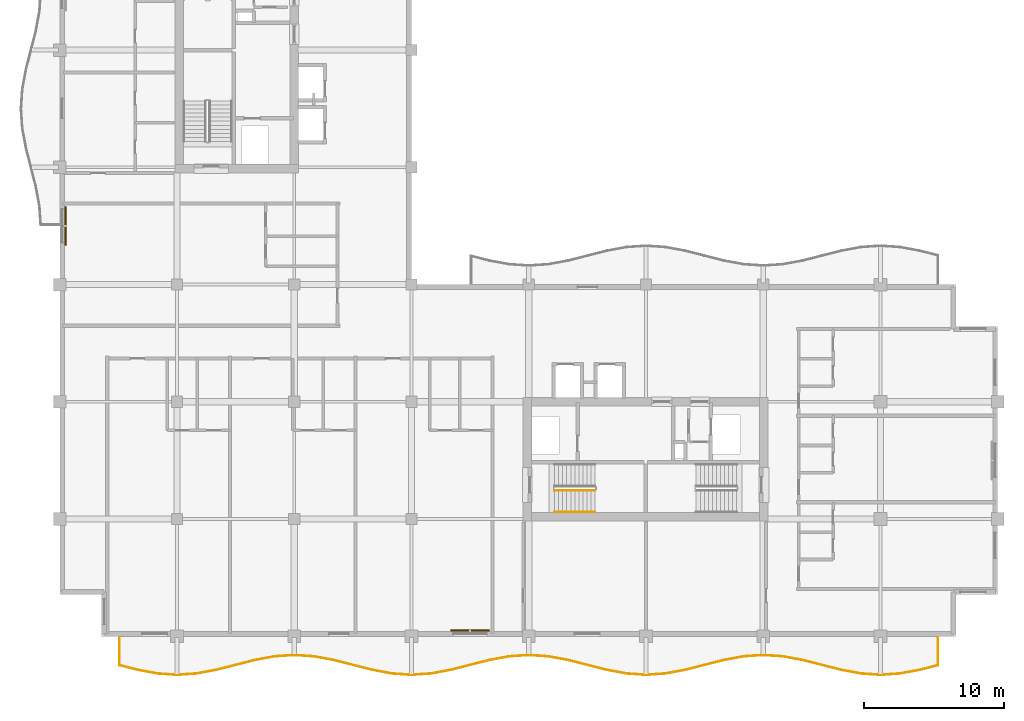
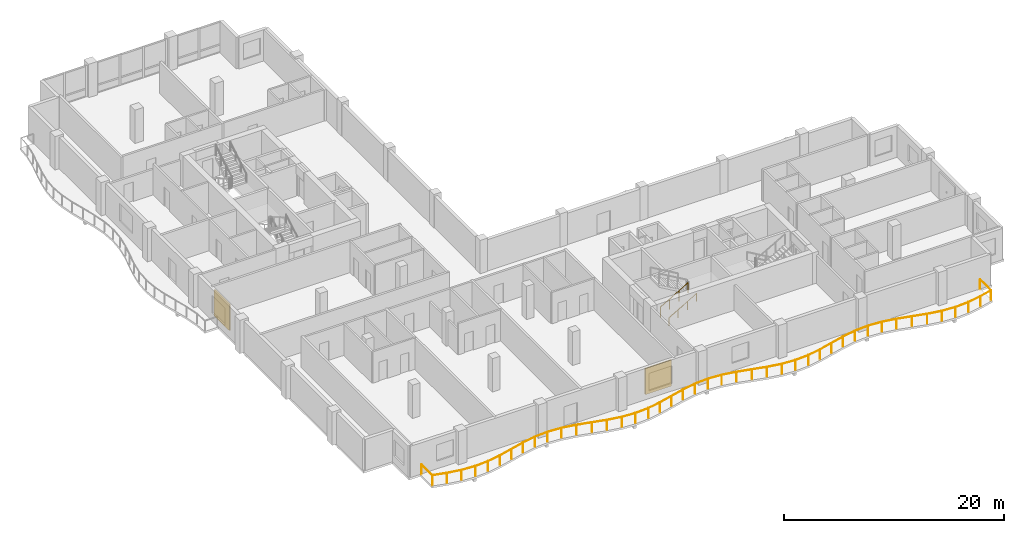
# One storey, part 14 of 17: 3 railings, 2 shading devices.
"""IFC4 building model written with IfcOpenShell, lengths in metres."""

from ifc_helpers import new_model, si_unit, direction, frame, origin, origin_2d, place, context, subcontext, project, spatial, rectangle, circle, extrude, material, layer, layer_set, type_object, element, save


model = new_model("IFC4")

# Units and contexts
model_context = context("Model", 3, precision=1e-05, world=origin(), true_north=direction((0.0, 1.0)))
body_context = subcontext(model_context, "Body", "Model", "MODEL_VIEW")
ifc_project = project(units=[si_unit("LENGTHUNIT", "METRE"), si_unit("AREAUNIT", "SQUARE_METRE"), si_unit("VOLUMEUNIT", "CUBIC_METRE"), si_unit("PLANEANGLEUNIT", "RADIAN"), si_unit("MASSUNIT", "GRAM", prefix="KILO")], contexts=[model_context])

# Site, building, storey
site_placement = place(None, origin())
site = spatial("IfcSite", under=ifc_project, at=site_placement, CompositionType="ELEMENT")
building_placement = place(site_placement, origin())
building = spatial("IfcBuilding", under=site, at=building_placement, Name="Koriwani Terraces Tower", CompositionType="ELEMENT")
storey_placement = place(building_placement, frame((0.0, 0.0, 237.89990234375)))
storey = spatial("IfcBuildingStorey", under=building, at=storey_placement, Name="L58", CompositionType="ELEMENT", Elevation=237.89990234375)

# Railings
ifc_material_1 = material(Name="Steel ASTM A572 Grade 50", Category="steel")
railing_type_1 = type_object("IfcRailingType", Name="GUARD_BALUSTRADE_1150", PredefinedType="BALUSTRADE", material=ifc_material_1)
railing_1_placement = place(storey_placement, frame((12.679931640625, 8.320068359375, 0.0)))
element("IfcRailing", 1, at=railing_1_placement, inside=storey, type_object=railing_type_1, Name="L58 Balcony Perimeter Safety Balustrade (S)", PredefinedType="BALUSTRADE", context=body_context, shape_type="SweptSolid", body=[
    extrude(circle(Radius=0.02392578125, at=origin_2d()), frame((0.0, 0.0, 1.1259765625), z_axis=(0.0, -1.0, 0.0), x_axis=(1.0, 0.0, 0.0)), (0.0, 0.0, 1.0), 1.997802734375),
    extrude(circle(Radius=0.02392578125, at=origin_2d()), frame((0.0, -1.997802734375, 1.1259765625), z_axis=(0.969314490181, -0.245823959624, 0.0), x_axis=(0.245823959624, 0.969314490181, 0.0)), (0.0, 0.0, 1.0), 1.37939453125),
    extrude(circle(Radius=0.02392578125, at=origin_2d()), frame((1.337158203125, -2.3369140625, 1.1259765625), z_axis=(0.98320420208, -0.182508895706, 0.0), x_axis=(0.182508895706, 0.98320420208, 0.0)), (0.0, 0.0, 1.0), 1.41650390625),
    extrude(circle(Radius=0.02392578125, at=origin_2d()), frame((2.72998046875, -2.595458984375, 1.1259765625), z_axis=(0.997698263815, -0.067809839848, 0.0), x_axis=(0.067809839848, 0.997698263815, 0.0)), (0.0, 0.0, 1.0), 1.393310546875),
    extrude(circle(Radius=0.02392578125, at=origin_2d()), frame((4.1201171875, -2.68994140625, 1.1259765625), z_axis=(0.997697457915, 0.067821696155, 0.0), x_axis=(-0.067821696155, 0.997697457915, 0.0)), (0.0, 0.0, 1.0), 1.39306640625),
    extrude(circle(Radius=0.02392578125, at=origin_2d()), frame((5.510009765625, -2.595458984375, 1.1259765625), z_axis=(0.98320420208, 0.182508895706, 0.0), x_axis=(-0.182508895706, 0.98320420208, 0.0)), (0.0, 0.0, 1.0), 1.41650390625),
    extrude(circle(Radius=0.02392578125, at=origin_2d()), frame((6.90283203125, -2.3369140625, 1.1259765625), z_axis=(0.969326714928, 0.245775750895, 0.0), x_axis=(-0.245775750895, 0.969326714928, 0.0)), (0.0, 0.0, 1.0), 2.888671875),
    extrude(circle(Radius=0.02392578125, at=origin_2d()), frame((9.702880859375, -1.626953125, 1.1259765625), z_axis=(0.983233329212, 0.182351913416, 0.0), x_axis=(-0.182351913416, 0.983233329212, 0.0)), (0.0, 0.0, 1.0), 1.43115234375),
    extrude(circle(Radius=0.02392578125, at=origin_2d()), frame((11.110107421875, -1.365966796875, 1.1259765625), z_axis=(0.997704165633, 0.067722949425, 0.0), x_axis=(-0.067722949425, 0.997704165633, 0.0)), (0.0, 0.0, 1.0), 1.4130859375),
    extrude(circle(Radius=0.02392578125, at=origin_2d()), frame((12.52001953125, -1.270263671875, 1.1259765625), z_axis=(0.997704957786, -0.067711278299, 0.0), x_axis=(0.067711278299, 0.997704957786, 0.0)), (0.0, 0.0, 1.0), 1.413330078125),
    extrude(circle(Radius=0.02392578125, at=origin_2d()), frame((13.93017578125, -1.365966796875, 1.1259765625), z_axis=(0.983227655562, -0.182382502828, 0.0), x_axis=(0.182382502828, 0.983227655562, 0.0)), (0.0, 0.0, 1.0), 1.430908203125),
    extrude(circle(Radius=0.02392578125, at=origin_2d()), frame((15.337158203125, -1.626953125, 1.1259765625), z_axis=(0.969326714928, -0.245775750895, 0.0), x_axis=(0.245775750895, 0.969326714928, 0.0)), (0.0, 0.0, 1.0), 2.888671875),
    extrude(circle(Radius=0.02392578125, at=origin_2d()), frame((18.13720703125, -2.3369140625, 1.1259765625), z_axis=(0.98320420208, -0.182508895706, 0.0), x_axis=(0.182508895706, 0.98320420208, 0.0)), (0.0, 0.0, 1.0), 1.41650390625),
    extrude(circle(Radius=0.02392578125, at=origin_2d()), frame((19.530029296875, -2.595458984375, 1.1259765625), z_axis=(0.997698263815, -0.067809839848, 0.0), x_axis=(0.067809839848, 0.997698263815, 0.0)), (0.0, 0.0, 1.0), 1.393310546875),
    extrude(circle(Radius=0.02392578125, at=origin_2d()), frame((20.920166015625, -2.68994140625, 1.1259765625), z_axis=(0.997697457915, 0.067821696155, 0.0), x_axis=(-0.067821696155, 0.997697457915, 0.0)), (0.0, 0.0, 1.0), 1.39306640625),
    extrude(circle(Radius=0.02392578125, at=origin_2d()), frame((22.31005859375, -2.595458984375, 1.1259765625), z_axis=(0.98320420208, 0.182508895706, 0.0), x_axis=(-0.182508895706, 0.98320420208, 0.0)), (0.0, 0.0, 1.0), 1.41650390625),
    extrude(circle(Radius=0.02392578125, at=origin_2d()), frame((23.702880859375, -2.3369140625, 1.1259765625), z_axis=(0.969326714928, 0.245775750895, 0.0), x_axis=(-0.245775750895, 0.969326714928, 0.0)), (0.0, 0.0, 1.0), 2.888671875),
    extrude(circle(Radius=0.02392578125, at=origin_2d()), frame((26.5029296875, -1.626953125, 1.1259765625), z_axis=(0.983233329212, 0.182351913416, 0.0), x_axis=(-0.182351913416, 0.983233329212, 0.0)), (0.0, 0.0, 1.0), 1.43115234375),
    extrude(circle(Radius=0.02392578125, at=origin_2d()), frame((27.91015625, -1.365966796875, 1.1259765625), z_axis=(0.997704165633, 0.067722949425, 0.0), x_axis=(-0.067722949425, 0.997704165633, 0.0)), (0.0, 0.0, 1.0), 1.4130859375),
    extrude(circle(Radius=0.02392578125, at=origin_2d()), frame((29.320068359375, -1.270263671875, 1.1259765625), z_axis=(0.997704165633, -0.067722949425, 0.0), x_axis=(0.067722949425, 0.997704165633, 0.0)), (0.0, 0.0, 1.0), 1.4130859375),
    extrude(circle(Radius=0.02392578125, at=origin_2d()), frame((30.72998046875, -1.365966796875, 1.1259765625), z_axis=(0.983233329212, -0.182351913416, 0.0), x_axis=(0.182351913416, 0.983233329212, 0.0)), (0.0, 0.0, 1.0), 1.43115234375),
    extrude(circle(Radius=0.02392578125, at=origin_2d()), frame((32.13720703125, -1.626953125, 1.1259765625), z_axis=(0.969326714928, -0.245775750895, 0.0), x_axis=(0.245775750895, 0.969326714928, 0.0)), (0.0, 0.0, 1.0), 2.888671875),
    extrude(circle(Radius=0.02392578125, at=origin_2d()), frame((34.937255859375, -2.3369140625, 1.1259765625), z_axis=(0.98320420208, -0.182508895706, 0.0), x_axis=(0.182508895706, 0.98320420208, 0.0)), (0.0, 0.0, 1.0), 1.41650390625),
    extrude(circle(Radius=0.02392578125, at=origin_2d()), frame((36.330078125, -2.595458984375, 1.1259765625), z_axis=(0.997697457915, -0.067821696155, 0.0), x_axis=(0.067821696155, 0.997697457915, 0.0)), (0.0, 0.0, 1.0), 1.39306640625),
    extrude(circle(Radius=0.02392578125, at=origin_2d()), frame((37.719970703125, -2.68994140625, 1.1259765625), z_axis=(0.997698263815, 0.067809839848, 0.0), x_axis=(-0.067809839848, 0.997698263815, 0.0)), (0.0, 0.0, 1.0), 1.393310546875),
    extrude(circle(Radius=0.02392578125, at=origin_2d()), frame((39.110107421875, -2.595458984375, 1.1259765625), z_axis=(0.98320420208, 0.182508895706, 0.0), x_axis=(-0.182508895706, 0.98320420208, 0.0)), (0.0, 0.0, 1.0), 1.41650390625),
    extrude(circle(Radius=0.02392578125, at=origin_2d()), frame((40.5029296875, -2.3369140625, 1.1259765625), z_axis=(0.969326714928, 0.245775750895, 0.0), x_axis=(-0.245775750895, 0.969326714928, 0.0)), (0.0, 0.0, 1.0), 2.888671875),
    extrude(circle(Radius=0.02392578125, at=origin_2d()), frame((43.302978515625, -1.626953125, 1.1259765625), z_axis=(0.983227655562, 0.182382502828, 0.0), x_axis=(-0.182382502828, 0.983227655562, 0.0)), (0.0, 0.0, 1.0), 1.430908203125),
    extrude(circle(Radius=0.02392578125, at=origin_2d()), frame((44.7099609375, -1.365966796875, 1.1259765625), z_axis=(0.997704957786, 0.067711278299, 0.0), x_axis=(-0.067711278299, 0.997704957786, 0.0)), (0.0, 0.0, 1.0), 1.413330078125),
    extrude(circle(Radius=0.02392578125, at=origin_2d()), frame((46.1201171875, -1.270263671875, 1.1259765625), z_axis=(0.997704165633, -0.067722949425, 0.0), x_axis=(0.067722949425, 0.997704165633, 0.0)), (0.0, 0.0, 1.0), 1.4130859375),
    extrude(circle(Radius=0.02392578125, at=origin_2d()), frame((47.530029296875, -1.365966796875, 1.1259765625), z_axis=(0.983233329212, -0.182351913416, 0.0), x_axis=(0.182351913416, 0.983233329212, 0.0)), (0.0, 0.0, 1.0), 1.43115234375),
    extrude(circle(Radius=0.02392578125, at=origin_2d()), frame((48.937255859375, -1.626953125, 1.1259765625), z_axis=(0.969326714928, -0.245775750895, 0.0), x_axis=(0.245775750895, 0.969326714928, 0.0)), (0.0, 0.0, 1.0), 2.888671875),
    extrude(circle(Radius=0.02392578125, at=origin_2d()), frame((51.7373046875, -2.3369140625, 1.1259765625), z_axis=(0.98320420208, -0.182508895706, 0.0), x_axis=(0.182508895706, 0.98320420208, 0.0)), (0.0, 0.0, 1.0), 1.41650390625),
    extrude(circle(Radius=0.02392578125, at=origin_2d()), frame((53.130126953125, -2.595458984375, 1.1259765625), z_axis=(0.997697457915, -0.067821696155, 0.0), x_axis=(0.067821696155, 0.997697457915, 0.0)), (0.0, 0.0, 1.0), 1.39306640625),
    extrude(circle(Radius=0.02392578125, at=origin_2d()), frame((54.52001953125, -2.68994140625, 1.1259765625), z_axis=(0.997698263815, 0.067809839848, 0.0), x_axis=(-0.067809839848, 0.997698263815, 0.0)), (0.0, 0.0, 1.0), 1.393310546875),
    extrude(circle(Radius=0.02392578125, at=origin_2d()), frame((55.91015625, -2.595458984375, 1.1259765625), z_axis=(0.98320420208, 0.182508895706, 0.0), x_axis=(-0.182508895706, 0.98320420208, 0.0)), (0.0, 0.0, 1.0), 1.41650390625),
    extrude(circle(Radius=0.02392578125, at=origin_2d()), frame((57.302978515625, -2.3369140625, 1.1259765625), z_axis=(0.969314490181, 0.245823959624, 0.0), x_axis=(-0.245823959624, 0.969314490181, 0.0)), (0.0, 0.0, 1.0), 1.37939453125),
    extrude(circle(Radius=0.02392578125, at=origin_2d()), frame((58.64013671875, -1.997802734375, 1.1259765625), z_axis=(0.0, 1.0, 0.0), x_axis=(-1.0, 0.0, 0.0)), (0.0, 0.0, 1.0), 1.997802734375),
    extrude(circle(Radius=0.02099609375, at=origin_2d()), origin(), (0.0, 0.0, 1.0), 1.101806640625),
    extrude(circle(Radius=0.02099609375, at=origin_2d()), frame((0.0, -1.997802734375, 0.0)), (0.0, 0.0, 1.0), 1.101806640625),
    extrude(circle(Radius=0.02099609375, at=origin_2d()), frame((1.337158203125, -2.3369140625, 0.0)), (0.0, 0.0, 1.0), 1.101806640625),
    extrude(circle(Radius=0.02099609375, at=origin_2d()), frame((2.72998046875, -2.595458984375, 0.0)), (0.0, 0.0, 1.0), 1.101806640625),
    extrude(circle(Radius=0.02099609375, at=origin_2d()), frame((4.1201171875, -2.68994140625, 0.0)), (0.0, 0.0, 1.0), 1.101806640625),
    extrude(circle(Radius=0.02099609375, at=origin_2d()), frame((5.510009765625, -2.595458984375, 0.0)), (0.0, 0.0, 1.0), 1.101806640625),
    extrude(circle(Radius=0.02099609375, at=origin_2d()), frame((6.90283203125, -2.3369140625, 0.0)), (0.0, 0.0, 1.0), 1.101806640625),
    extrude(circle(Radius=0.02099609375, at=origin_2d()), frame((8.302734375, -1.98193359375, 0.0)), (0.0, 0.0, 1.0), 1.101806640625),
    extrude(circle(Radius=0.02099609375, at=origin_2d()), frame((9.702880859375, -1.626953125, 0.0)), (0.0, 0.0, 1.0), 1.101806640625),
    extrude(circle(Radius=0.02099609375, at=origin_2d()), frame((11.110107421875, -1.365966796875, 0.0)), (0.0, 0.0, 1.0), 1.101806640625),
    extrude(circle(Radius=0.02099609375, at=origin_2d()), frame((12.52001953125, -1.270263671875, 0.0)), (0.0, 0.0, 1.0), 1.101806640625),
    extrude(circle(Radius=0.02099609375, at=origin_2d()), frame((13.93017578125, -1.365966796875, 0.0)), (0.0, 0.0, 1.0), 1.101806640625),
    extrude(circle(Radius=0.02099609375, at=origin_2d()), frame((15.337158203125, -1.626953125, 0.0)), (0.0, 0.0, 1.0), 1.101806640625),
    extrude(circle(Radius=0.02099609375, at=origin_2d()), frame((16.7373046875, -1.98193359375, 0.0)), (0.0, 0.0, 1.0), 1.101806640625),
    extrude(circle(Radius=0.02099609375, at=origin_2d()), frame((18.13720703125, -2.3369140625, 0.0)), (0.0, 0.0, 1.0), 1.101806640625),
    extrude(circle(Radius=0.02099609375, at=origin_2d()), frame((19.530029296875, -2.595458984375, 0.0)), (0.0, 0.0, 1.0), 1.101806640625),
    extrude(circle(Radius=0.02099609375, at=origin_2d()), frame((20.920166015625, -2.68994140625, 0.0)), (0.0, 0.0, 1.0), 1.101806640625),
    extrude(circle(Radius=0.02099609375, at=origin_2d()), frame((22.31005859375, -2.595458984375, 0.0)), (0.0, 0.0, 1.0), 1.101806640625),
    extrude(circle(Radius=0.02099609375, at=origin_2d()), frame((23.702880859375, -2.3369140625, 0.0)), (0.0, 0.0, 1.0), 1.101806640625),
    extrude(circle(Radius=0.02099609375, at=origin_2d()), frame((25.10302734375, -1.98193359375, 0.0)), (0.0, 0.0, 1.0), 1.101806640625),
    extrude(circle(Radius=0.02099609375, at=origin_2d()), frame((26.5029296875, -1.626953125, 0.0)), (0.0, 0.0, 1.0), 1.101806640625),
    extrude(circle(Radius=0.02099609375, at=origin_2d()), frame((27.91015625, -1.365966796875, 0.0)), (0.0, 0.0, 1.0), 1.101806640625),
    extrude(circle(Radius=0.02099609375, at=origin_2d()), frame((29.320068359375, -1.270263671875, 0.0)), (0.0, 0.0, 1.0), 1.101806640625),
    extrude(circle(Radius=0.02099609375, at=origin_2d()), frame((30.72998046875, -1.365966796875, 0.0)), (0.0, 0.0, 1.0), 1.101806640625),
    extrude(circle(Radius=0.02099609375, at=origin_2d()), frame((32.13720703125, -1.626953125, 0.0)), (0.0, 0.0, 1.0), 1.101806640625),
    extrude(circle(Radius=0.02099609375, at=origin_2d()), frame((33.537109375, -1.98193359375, 0.0)), (0.0, 0.0, 1.0), 1.101806640625),
    extrude(circle(Radius=0.02099609375, at=origin_2d()), frame((34.937255859375, -2.3369140625, 0.0)), (0.0, 0.0, 1.0), 1.101806640625),
    extrude(circle(Radius=0.02099609375, at=origin_2d()), frame((36.330078125, -2.595458984375, 0.0)), (0.0, 0.0, 1.0), 1.101806640625),
    extrude(circle(Radius=0.02099609375, at=origin_2d()), frame((37.719970703125, -2.68994140625, 0.0)), (0.0, 0.0, 1.0), 1.101806640625),
    extrude(circle(Radius=0.02099609375, at=origin_2d()), frame((39.110107421875, -2.595458984375, 0.0)), (0.0, 0.0, 1.0), 1.101806640625),
    extrude(circle(Radius=0.02099609375, at=origin_2d()), frame((40.5029296875, -2.3369140625, 0.0)), (0.0, 0.0, 1.0), 1.101806640625),
    extrude(circle(Radius=0.02099609375, at=origin_2d()), frame((41.90283203125, -1.98193359375, 0.0)), (0.0, 0.0, 1.0), 1.101806640625),
    extrude(circle(Radius=0.02099609375, at=origin_2d()), frame((43.302978515625, -1.626953125, 0.0)), (0.0, 0.0, 1.0), 1.101806640625),
    extrude(circle(Radius=0.02099609375, at=origin_2d()), frame((44.7099609375, -1.365966796875, 0.0)), (0.0, 0.0, 1.0), 1.101806640625),
    extrude(circle(Radius=0.02099609375, at=origin_2d()), frame((46.1201171875, -1.270263671875, 0.0)), (0.0, 0.0, 1.0), 1.101806640625),
    extrude(circle(Radius=0.02099609375, at=origin_2d()), frame((47.530029296875, -1.365966796875, 0.0)), (0.0, 0.0, 1.0), 1.101806640625),
    extrude(circle(Radius=0.02099609375, at=origin_2d()), frame((48.937255859375, -1.626953125, 0.0)), (0.0, 0.0, 1.0), 1.101806640625),
    extrude(circle(Radius=0.02099609375, at=origin_2d()), frame((50.33740234375, -1.98193359375, 0.0)), (0.0, 0.0, 1.0), 1.101806640625),
    extrude(circle(Radius=0.02099609375, at=origin_2d()), frame((51.7373046875, -2.3369140625, 0.0)), (0.0, 0.0, 1.0), 1.101806640625),
    extrude(circle(Radius=0.02099609375, at=origin_2d()), frame((53.130126953125, -2.595458984375, 0.0)), (0.0, 0.0, 1.0), 1.101806640625),
    extrude(circle(Radius=0.02099609375, at=origin_2d()), frame((54.52001953125, -2.68994140625, 0.0)), (0.0, 0.0, 1.0), 1.101806640625),
    extrude(circle(Radius=0.02099609375, at=origin_2d()), frame((55.91015625, -2.595458984375, 0.0)), (0.0, 0.0, 1.0), 1.101806640625),
    extrude(circle(Radius=0.02099609375, at=origin_2d()), frame((57.302978515625, -2.3369140625, 0.0)), (0.0, 0.0, 1.0), 1.101806640625),
    extrude(circle(Radius=0.02099609375, at=origin_2d()), frame((58.64013671875, -1.997802734375, 0.0)), (0.0, 0.0, 1.0), 1.101806640625),
    extrude(circle(Radius=0.02099609375, at=origin_2d()), frame((58.64013671875, 0.0, 0.0)), (0.0, 0.0, 1.0), 1.101806640625),
])
railing_type_2 = type_object("IfcRailingType", Name="GUARD_STAIR_WELL_1120", PredefinedType="GUARDRAIL", material=ifc_material_1)
railing_2_placement = place(storey_placement, frame((43.85009765625, 18.85009765625, 0.168212890625)))
element("IfcRailing", 2, at=railing_2_placement, inside=storey, type_object=railing_type_2, Name="L58 ST-E1 stair guard 1", PredefinedType="GUARDRAIL", context=body_context, shape_type="SweptSolid", body=[
    extrude(circle(Radius=0.02392578125, at=origin_2d()), frame((0.0, 0.0, 1.1259765625), z_axis=(0.865038774852, 0.0, 0.501705010941), x_axis=(0.0, 1.0, 0.0)), (0.0, 0.0, 1.0), 3.352294921875),
    extrude(circle(Radius=0.02099609375, at=origin_2d()), origin(), (0.0, 0.0, 1.0), 1.101806640625),
    extrude(circle(Radius=0.02099609375, at=origin_2d()), frame((0.966552734375, 0.0, 0.560546875)), (0.0, 0.0, 1.0), 1.101806640625),
    extrude(circle(Radius=0.02099609375, at=origin_2d()), frame((1.933349609375, 0.0, 1.121337890625)), (0.0, 0.0, 1.0), 1.101806640625),
    extrude(circle(Radius=0.02099609375, at=origin_2d()), frame((2.89990234375, 0.0, 1.681884765625)), (0.0, 0.0, 1.0), 1.101806640625),
])
railing_type_3 = type_object("IfcRailingType", Name="HANDRAIL_STAIR_920", PredefinedType="HANDRAIL", material=ifc_material_1)
railing_3_placement = place(storey_placement, frame((43.85009765625, 17.300048828125, 0.168212890625)))
element("IfcRailing", 3, at=railing_3_placement, inside=storey, type_object=railing_type_3, Name="L58 ST-E1 stair handrail 1", PredefinedType="HANDRAIL", context=body_context, shape_type="SweptSolid", body=[
    extrude(circle(Radius=0.02392578125, at=origin_2d()), frame((0.0, 0.0, 0.8759765625), z_axis=(0.865038774852, 0.0, 0.501705010941), x_axis=(0.0, 1.0, 0.0)), (0.0, 0.0, 1.0), 3.352294921875),
    extrude(circle(Radius=0.02099609375, at=origin_2d()), origin(), (0.0, 0.0, 1.0), 0.851806640625),
    extrude(circle(Radius=0.02099609375, at=origin_2d()), frame((0.966552734375, 0.0, 0.560546875)), (0.0, 0.0, 1.0), 0.851806640625),
    extrude(circle(Radius=0.02099609375, at=origin_2d()), frame((1.933349609375, 0.0, 1.121337890625)), (0.0, 0.0, 1.0), 0.851806640625),
    extrude(circle(Radius=0.02099609375, at=origin_2d()), frame((2.89990234375, 0.0, 1.681884765625)), (0.0, 0.0, 1.0), 0.851806640625),
])

# Shading devices
ifc_material_2 = material(Name="Extruded Terracotta Clay", Category="masonry")
ifc_layer = layer(ifc_material_2, 0.1201171875, Name="Extruded Terracotta Clay")
ifc_layer_set = layer_set([ifc_layer], Name="Extruded Terracotta Clay")
shading_device_type = type_object("IfcShadingDeviceType", Name="TERRACOTTA_BAGUETTE_SCREEN_2800", PredefinedType="USERDEFINED", material=ifc_layer_set)
for number, where, z_axis, x_axis, name in (
    (4, (8.804931640625, 37.800048828125, 0.28515625), (0.0, 0.0, 1.0), (0.0, 1.0, 0.0), "L58 Extruded Terracotta Baguette Screen (W-9)"),
    (5, (37.800048828125, 8.804931640625, 0.28515625), (0.0, 0.0, 1.0), (-1.0, 0.0, 0.0), "L58 Extruded Terracotta Baguette Screen (S-9)"),
):
    element("IfcShadingDevice", number, at=place(storey_placement, frame(where, z_axis=z_axis, x_axis=x_axis)), inside=storey, type_object=shading_device_type, Name=name, ObjectType="BAGUETTE", PredefinedType="USERDEFINED", context=body_context, shape_type="SweptSolid", body=[
        extrude(rectangle(XDim=2.760009765625, YDim=0.1201171875, at=origin_2d()), origin(), (0.0, 0.0, 1.0), 2.89990234375),
    ])

save(model, "model.ifc")
